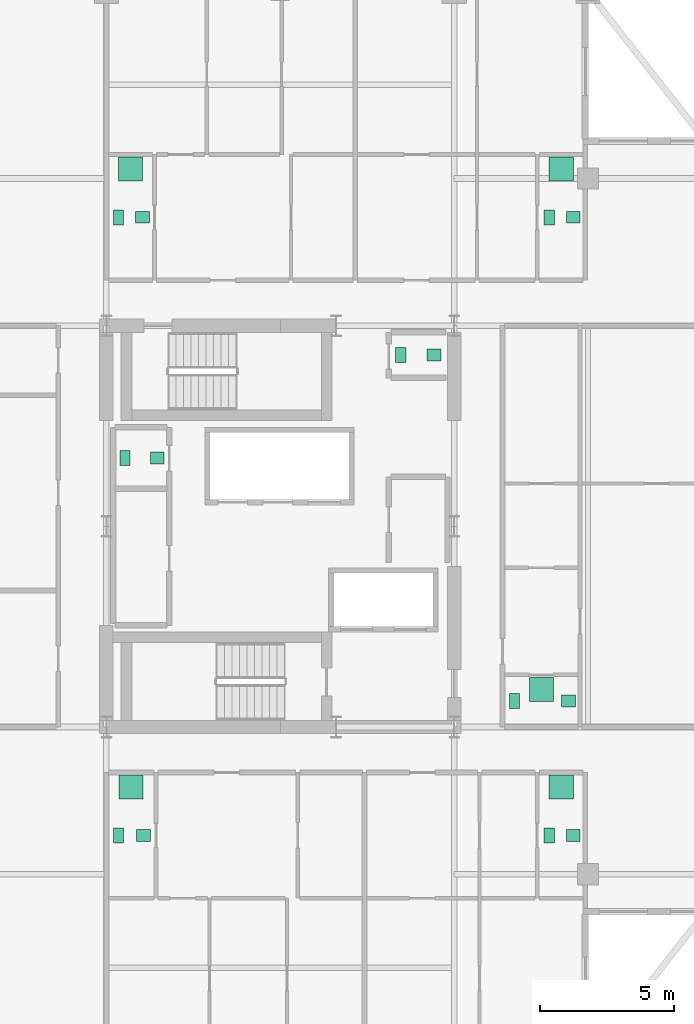
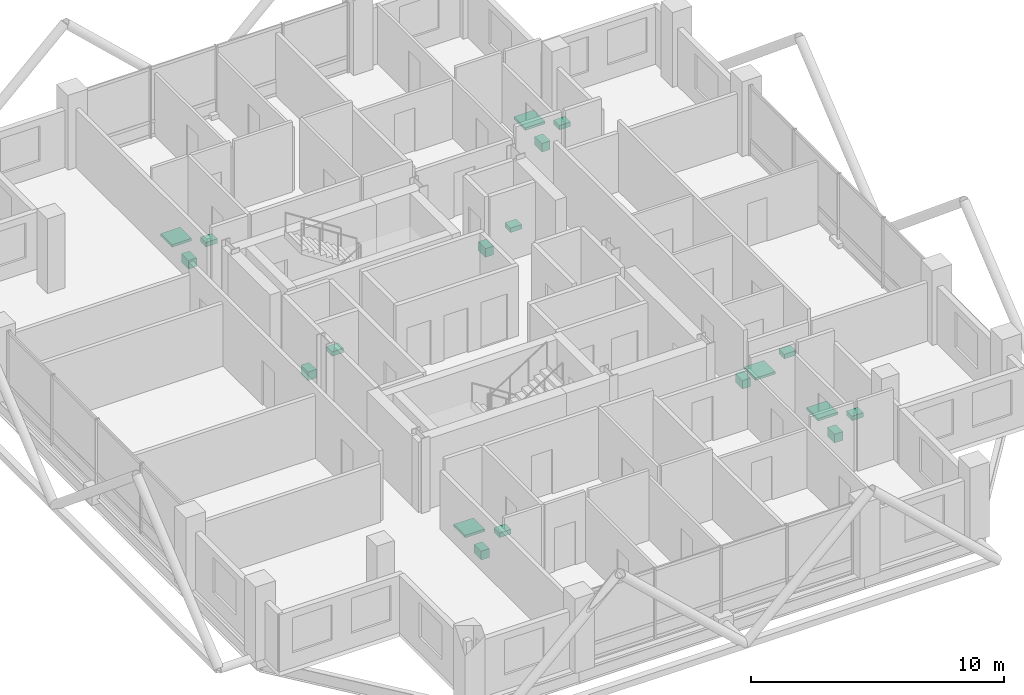
# One storey, part 24 of 24: 19 sanitary terminals.
"""IFC4 building model written with IfcOpenShell, lengths in metres."""

from ifc_helpers import new_model, si_unit, direction, frame, origin, origin_2d, place, context, subcontext, project, spatial, rectangle, extrude, material, type_object, element, save


model = new_model("IFC4")

# Units and contexts
model_context = context("Model", 3, precision=1e-05, world=origin(), true_north=direction((0.0, 1.0)))
body_context = subcontext(model_context, "Body", "Model", "MODEL_VIEW")
ifc_project = project(units=[si_unit("LENGTHUNIT", "METRE"), si_unit("AREAUNIT", "SQUARE_METRE"), si_unit("VOLUMEUNIT", "CUBIC_METRE"), si_unit("PLANEANGLEUNIT", "RADIAN"), si_unit("MASSUNIT", "GRAM", prefix="KILO")], contexts=[model_context])

# Site, building, storey
site_placement = place(None, origin())
site = spatial("IfcSite", under=ifc_project, at=site_placement, CompositionType="ELEMENT")
building_placement = place(site_placement, origin())
building = spatial("IfcBuilding", under=site, at=building_placement, Name="Barlavira Tower and Art Museum", CompositionType="ELEMENT")
storey_placement = place(building_placement, frame((0.0, 0.0, 240.300048828125)))
storey = spatial("IfcBuildingStorey", under=building, at=storey_placement, Name="L62", CompositionType="ELEMENT", Elevation=240.300048828125)

# Sanitary terminals
ifc_material = material(Name="Vitreous glazed ceramic", Category="ceramic")
sanitary_terminal_type_1 = type_object("IfcSanitaryTerminalType", Name="Countertop Ceramic Wash Hand Basin", PredefinedType="WASHHANDBASIN", material=ifc_material)
for number, where, z_axis, x_axis, name in (
    (1, (-4.60009765625, 2.550048828125, 0.73974609375), (0.0, 0.0, 1.0), (1.0, 0.0, 0.0), "L62-C-REC1W Wash Basin"),
    (2, (5.75, 6.39990234375, 0.73974609375), (0.0, 0.0, 1.0), (1.0, 0.0, 0.0), "L62-C-AWC4 Wash Basin"),
    (3, (-5.110107421875, -11.550048828125, 0.73974609375), (0.0, 0.0, 1.0), (1.0, 0.0, 0.0), "L62-S1-BTH1 Wash Basin"),
    (4, (10.949951171875, -11.550048828125, 0.73974609375), (0.0, 0.0, 1.0), (1.0, 0.0, 0.0), "L62-S2-BTH1 Wash Basin"),
    (5, (-5.14990234375, 11.550048828125, 0.73974609375), (0.0, 0.0, 1.0), (1.0, 0.0, 0.0), "L62-N1-BTH1 Wash Basin"),
    (6, (10.949951171875, 11.550048828125, 0.73974609375), (0.0, 0.0, 1.0), (1.0, 0.0, 0.0), "L62-N2-BTH1 Wash Basin"),
    (7, (10.77001953125, -6.52490234375, 0.73974609375), (0.0, 0.0, 1.0), (1.0, 0.0, 0.0), "L62-E1-BTH1 Wash Basin"),
):
    element("IfcSanitaryTerminal", number, at=place(storey_placement, frame(where, z_axis=z_axis, x_axis=x_axis)), inside=storey, type_object=sanitary_terminal_type_1, Name=name, PredefinedType="WASHHANDBASIN", context=body_context, shape_type="SweptSolid", body=[
        extrude(rectangle(XDim=0.52001953125, YDim=0.43994140625, at=origin_2d()), origin(), (0.0, 0.0, 1.0), 0.219970703125),
    ])
sanitary_terminal_type_2 = type_object("IfcSanitaryTerminalType", Name="Walk-In Thermostatic Rain Shower Unit", PredefinedType="SHOWER", material=ifc_material)
for number, where, z_axis, x_axis, name in (
    (8, (-5.580078125, -9.75, 0.0), (0.0, 0.0, 1.0), (1.0, 0.0, 0.0), "L62-S1-BTH1 Rain Shower"),
    (9, (10.5, -9.75, 0.0), (0.0, 0.0, 1.0), (1.0, 0.0, 0.0), "L62-S2-BTH1 Rain Shower"),
    (10, (-5.60009765625, 13.35009765625, 0.0), (0.0, 0.0, 1.0), (1.0, 0.0, 0.0), "L62-N1-BTH1 Rain Shower"),
    (11, (10.5, 13.35009765625, 0.0), (0.0, 0.0, 1.0), (1.0, 0.0, 0.0), "L62-N2-BTH1 Rain Shower"),
    (12, (9.760009765625, -6.10009765625, 0.0), (0.0, 0.0, 1.0), (1.0, 0.0, 0.0), "L62-E1-BTH1 Rain Shower"),
):
    element("IfcSanitaryTerminal", number, at=place(storey_placement, frame(where, z_axis=z_axis, x_axis=x_axis)), inside=storey, type_object=sanitary_terminal_type_2, Name=name, PredefinedType="SHOWER", context=body_context, shape_type="SweptSolid", body=[
        extrude(rectangle(XDim=0.89990234375, YDim=0.89990234375, at=origin_2d()), origin(), (0.0, 0.0, 1.0), 0.1201171875),
    ])
sanitary_terminal_type_3 = type_object("IfcSanitaryTerminalType", Name="Wall-Hung Dual-Flush Vitreous WC Pan", PredefinedType="TOILETPAN", material=ifc_material)
for number, where, z_axis, x_axis, name in (
    (13, (-5.800048828125, 2.550048828125, 0.0), (0.0, 0.0, 1.0), (1.0, 0.0, 0.0), "L62-C-REC1W WC Pan"),
    (14, (4.5, 6.39990234375, 0.0), (0.0, 0.0, 1.0), (1.0, 0.0, 0.0), "L62-C-AWC4 WC Pan"),
    (15, (-6.050048828125, -11.550048828125, 0.0), (0.0, 0.0, 1.0), (1.0, 0.0, 0.0), "L62-S1-BTH1 WC Pan"),
    (16, (10.050048828125, -11.550048828125, 0.0), (0.0, 0.0, 1.0), (1.0, 0.0, 0.0), "L62-S2-BTH1 WC Pan"),
    (17, (-6.050048828125, 11.550048828125, 0.0), (0.0, 0.0, 1.0), (1.0, 0.0, 0.0), "L62-N1-BTH1 WC Pan"),
    (18, (10.050048828125, 11.550048828125, 0.0), (0.0, 0.0, 1.0), (1.0, 0.0, 0.0), "L62-N2-BTH1 WC Pan"),
    (19, (8.75, -6.52490234375, 0.0), (0.0, 0.0, 1.0), (1.0, 0.0, 0.0), "L62-E1-BTH1 WC Pan"),
):
    element("IfcSanitaryTerminal", number, at=place(storey_placement, frame(where, z_axis=z_axis, x_axis=x_axis)), inside=storey, type_object=sanitary_terminal_type_3, Name=name, PredefinedType="TOILETPAN", context=body_context, shape_type="SweptSolid", body=[
        extrude(rectangle(XDim=0.3798828125, YDim=0.56005859375, at=origin_2d()), origin(), (0.0, 0.0, 1.0), 0.419921875),
    ])

save(model, "model.ifc")
